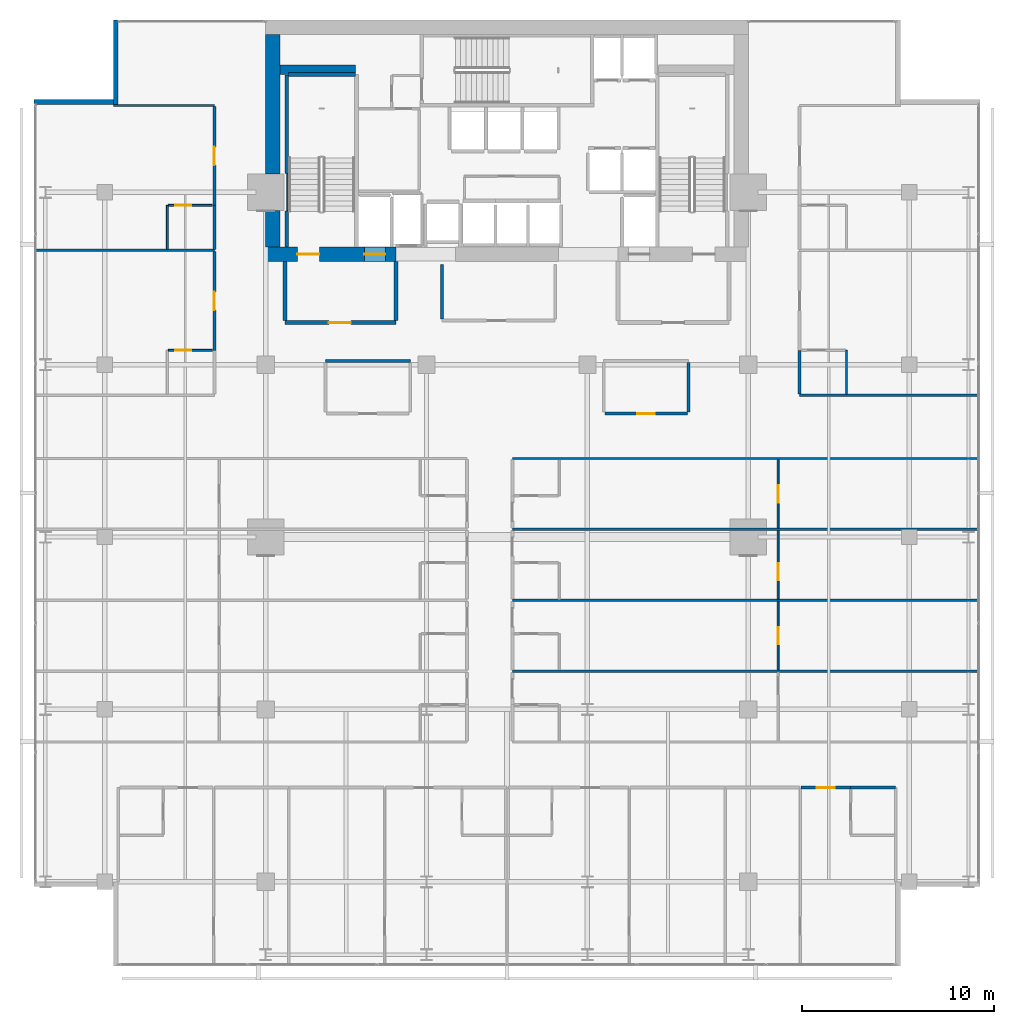
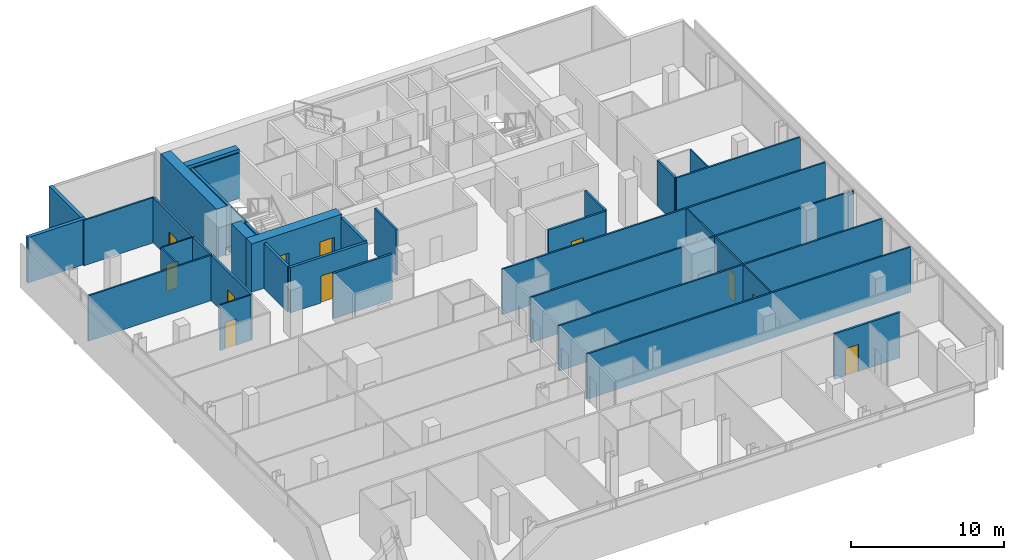
# One storey, part 29 of 34: 37 walls, 12 doors, 12 openings.
"""IFC4 building model written with IfcOpenShell, lengths in metres."""

from ifc_helpers import new_model, si_unit, direction, frame, frame_2d, origin, place, context, subcontext, project, spatial, rectangle, extrude, material, layer, layer_set, type_object, element, fill, save


model = new_model("IFC4")

# Units and contexts
model_context = context("Model", 3, precision=1e-05, world=origin(), true_north=direction((0.0, 1.0)))
body_context = subcontext(model_context, "Body", "Model", "MODEL_VIEW")
ifc_project = project(units=[si_unit("LENGTHUNIT", "METRE"), si_unit("AREAUNIT", "SQUARE_METRE"), si_unit("VOLUMEUNIT", "CUBIC_METRE"), si_unit("PLANEANGLEUNIT", "RADIAN"), si_unit("MASSUNIT", "GRAM", prefix="KILO")], contexts=[model_context])

# Site, building, storey
site_placement = place(None, origin())
site = spatial("IfcSite", under=ifc_project, at=site_placement, CompositionType="ELEMENT")
building_placement = place(site_placement, origin())
building = spatial("IfcBuilding", under=site, at=building_placement, Name="Maruvema Waterfront Hotel and Observation Tower", CompositionType="ELEMENT")
storey_placement = place(building_placement, frame((0.0, 0.0, 185.14990234375)))
storey = spatial("IfcBuildingStorey", under=building, at=storey_placement, Name="L45", CompositionType="ELEMENT", Elevation=185.14990234375)

# Walls
ifc_material_1 = material(Name="Twin-stud acoustic gypsum drywall", Category="gypsum")
ifc_layer_1 = layer(ifc_material_1, 0.14990234375, Name="Acoustic Corridor and Suite Demising Wall 150 mm")
ifc_layer_set_1 = layer_set([ifc_layer_1], Name="Twin-stud acoustic gypsum drywall")
wall_type_1 = type_object("IfcWallType", Name="Acoustic Corridor and Suite Demising Wall 150 mm", PredefinedType="PARTITIONING", material=ifc_layer_set_1)
wall_1_placement = place(storey_placement, frame((34.39990234375, 38.3798828125, 0.0), z_axis=(0.0, 0.0, 1.0), x_axis=(0.0, 1.0, 0.0)))
element("IfcWall", 1, at=wall_1_placement, inside=storey, type_object=wall_type_1, Name="L45 Core Apron K0 West 019", PredefinedType="PARTITIONING", context=body_context, shape_type="SweptSolid", body=[
    extrude(rectangle(XDim=2.840087890625, YDim=0.14990234375, at=frame_2d((1.419921875, 0.0))), origin(), (0.0, 0.0, 1.0), 3.610107421875),
])
wall_2_placement = place(storey_placement, frame((28.320068359375, 36.199951171875, 0.0), z_axis=(0.0, 0.0, 1.0), x_axis=(1.0, 0.0, 0.0)))
element("IfcWall", 2, at=wall_2_placement, inside=storey, type_object=wall_type_1, Name="L45 L45-M1 Back Wall 021", PredefinedType="PARTITIONING", context=body_context, shape_type="SweptSolid", body=[
    extrude(rectangle(XDim=4.429931640625, YDim=0.14990234375, at=frame_2d((2.21484375, 0.0))), origin(), (0.0, 0.0, 1.0), 3.610107421875),
])
wall_3_placement = place(storey_placement, frame((47.280029296875, 33.530029296875, 0.0), z_axis=(0.0, 0.0, 1.0), x_axis=(0.0, 1.0, 0.0)))
element("IfcWall", 3, at=wall_3_placement, inside=storey, type_object=wall_type_1, Name="L45 L45-M2 East Wall 027", PredefinedType="PARTITIONING", context=body_context, shape_type="SweptSolid", body=[
    extrude(rectangle(XDim=2.590087890625, YDim=0.14990234375, at=frame_2d((1.294921875, 0.0))), origin(), (0.0, 0.0, 1.0), 3.610107421875),
])

# Wall, opening, door
wall_4_placement = place(storey_placement, frame((42.909912109375, 33.449951171875, 0.0), z_axis=(0.0, 0.0, 1.0), x_axis=(1.0, 0.0, 0.0)))
wall_4 = element("IfcWall", 4, at=wall_4_placement, inside=storey, type_object=wall_type_1, Name="L45 L45-M2 Front 1 028", PredefinedType="PARTITIONING", context=body_context, shape_type="SweptSolid", body=[
    extrude(rectangle(XDim=4.31005859375, YDim=0.14990234375, at=frame_2d((2.155029296875, 0.0))), origin(), (0.0, 0.0, 1.0), 3.610107421875),
])
opening_1_placement = place(wall_4_placement, frame((1.705078125, 0.0, 0.0)))
opening_1 = element("IfcOpeningElement", 5, at=opening_1_placement, cuts=wall_4, Name="Opening DR-090", PredefinedType="OPENING", context=body_context, shape_type="SweptSolid", body=[
    extrude(rectangle(XDim=0.89990234375, YDim=2.10009765625, at=frame_2d((0.449951171875, 1.050048828125))), frame((0.0, 0.0849609375, 0.0), z_axis=(0.0, -1.0, 0.0), x_axis=(1.0, 0.0, 0.0)), (0.0, 0.0, 1.0), 0.169921875),
])
ifc_material_2 = material(Name="Solid-core lacquered timber leaf", Category="wood")
door_type_1 = type_object("IfcDoorType", Name="Accessible Toilet and Room Door 900x2100 mm", OperationType="NOTDEFINED", PredefinedType="DOOR", material=ifc_material_2)
door_1_placement = place(opening_1_placement, frame((0.89990234375, 0.0, 0.0), z_axis=(0.0, 0.0, 1.0), x_axis=(-1.0, 0.0, 0.0)))
door_1 = element("IfcDoor", 6, at=door_1_placement, inside=storey, type_object=door_type_1, Name="L45 Library Lounge 3 Door", OperationType="SINGLE_SWING_RIGHT", OverallHeight=2.10009765625, OverallWidth=0.89990234375, PredefinedType="DOOR", context=body_context, shape_type="SweptSolid", body=[
    extrude(rectangle(XDim=0.89990234375, YDim=2.10009765625, at=frame_2d((0.449951171875, 1.050048828125))), frame((0.0, 0.02490234375, 0.0), z_axis=(0.0, -1.0, 0.0), x_axis=(1.0, 0.0, 0.0)), (0.0, 0.0, 1.0), 0.050048828125),
])
fill(opening_1, door_1)

# Wall
wall_5_placement = place(storey_placement, frame((55.75, 13.919921875, 0.0), z_axis=(0.0, 0.0, 1.0), x_axis=(1.0, 0.0, 0.0)))
element("IfcWall", 7, at=wall_5_placement, inside=storey, type_object=wall_type_1, Name="L45 Bath L45-S4 Back Wall 052", PredefinedType="PARTITIONING", context=body_context, shape_type="SweptSolid", body=[
    extrude(rectangle(XDim=2.330078125, YDim=0.14990234375, at=frame_2d((1.1650390625, 0.0))), origin(), (0.0, 0.0, 1.0), 3.610107421875),
])

# Wall, opening, door
wall_6_placement = place(storey_placement, frame((53.156005859375, 13.919921875, 0.0), z_axis=(0.0, 0.0, 1.0), x_axis=(1.0, 0.0, 0.0)))
wall_6 = element("IfcWall", 8, at=wall_6_placement, inside=storey, type_object=wall_type_1, Name="L45 Unit L45-S4 Corridor Wall 056", PredefinedType="PARTITIONING", context=body_context, shape_type="SweptSolid", body=[
    extrude(rectangle(XDim=2.593994140625, YDim=0.14990234375, at=frame_2d((1.296875, 0.0))), origin(), (0.0, 0.0, 1.0), 3.610107421875),
])
opening_2_placement = place(wall_6_placement, frame((0.822021484375, 0.0, 0.0)))
opening_2 = element("IfcOpeningElement", 9, at=opening_2_placement, cuts=wall_6, Name="Opening DR-095", PredefinedType="OPENING", context=body_context, shape_type="SweptSolid", body=[
    extrude(rectangle(XDim=0.949951171875, YDim=2.14990234375, at=frame_2d((0.47509765625, 1.074951171875))), frame((0.0, 0.0849609375, 0.0), z_axis=(0.0, -1.0, 0.0), x_axis=(1.0, 0.0, 0.0)), (0.0, 0.0, 1.0), 0.169921875),
])
ifc_material_3 = material(Name="Acoustic solid-core hardwood timber leaf", Category="wood")
door_type_2 = type_object("IfcDoorType", Name="Guestroom Entrance Fire Door 950x2150 mm", OperationType="NOTDEFINED", PredefinedType="DOOR", material=ifc_material_3)
door_2_placement = place(opening_2_placement, frame((0.949951171875, 0.0, 0.0), z_axis=(0.0, 0.0, 1.0), x_axis=(-1.0, 0.0, 0.0)))
door_2 = element("IfcDoor", 10, at=door_2_placement, inside=storey, type_object=door_type_2, Name="L45 Unit L45-S4 Entrance Door", OperationType="SINGLE_SWING_LEFT", OverallHeight=2.14990234375, OverallWidth=0.949951171875, PredefinedType="DOOR", context=body_context, shape_type="SweptSolid", body=[
    extrude(rectangle(XDim=0.949951171875, YDim=2.14990234375, at=frame_2d((0.47509765625, 1.074951171875))), frame((0.0, 0.02490234375, 0.0), z_axis=(0.0, -1.0, 0.0), x_axis=(1.0, 0.0, 0.0)), (0.0, 0.0, 1.0), 0.050048828125),
])
fill(opening_2, door_2)

wall_7_placement = place(storey_placement, frame((22.52001953125, 36.75, 0.0), z_axis=(0.0, 0.0, 1.0), x_axis=(0.0, 1.0, 0.0)))
wall_7 = element("IfcWall", 11, at=wall_7_placement, inside=storey, type_object=wall_type_1, Name="L45 Room L45-NW1 Corridor Wall 113", PredefinedType="PARTITIONING", context=body_context, shape_type="SweptSolid", body=[
    extrude(rectangle(XDim=5.15869140625, YDim=0.14990234375, at=frame_2d((2.579345703125, 0.0))), origin(), (0.0, 0.0, 1.0), 3.610107421875),
])
opening_3_placement = place(wall_7_placement, frame((2.1044921875, 0.0, 0.0)))
opening_3 = element("IfcOpeningElement", 12, at=opening_3_placement, cuts=wall_7, Name="Opening DR-095", PredefinedType="OPENING", context=body_context, shape_type="SweptSolid", body=[
    extrude(rectangle(XDim=0.949951171875, YDim=2.14990234375, at=frame_2d((0.47509765625, 1.074951171875))), frame((0.0, 0.0849609375, 0.0), z_axis=(0.0, -1.0, 0.0), x_axis=(1.0, 0.0, 0.0)), (0.0, 0.0, 1.0), 0.169921875),
])
door_3_placement = place(opening_3_placement, origin())
door_3 = element("IfcDoor", 13, at=door_3_placement, inside=storey, type_object=door_type_2, Name="L45 Room L45-NW1 Entrance Door", OperationType="SINGLE_SWING_RIGHT", OverallHeight=2.14990234375, OverallWidth=0.949951171875, PredefinedType="DOOR", context=body_context, shape_type="SweptSolid", body=[
    extrude(rectangle(XDim=0.949951171875, YDim=2.14990234375, at=frame_2d((0.47509765625, 1.074951171875))), frame((0.0, 0.02490234375, 0.0), z_axis=(0.0, -1.0, 0.0), x_axis=(1.0, 0.0, 0.0)), (0.0, 0.0, 1.0), 0.050048828125),
])
fill(opening_3, door_3)

# Walls
for number, where, z_axis, x_axis, name in (
    (14, (53.080078125, 34.4599609375, 0.0), (0.0, 0.0, 1.0), (0.0, 1.0, 0.0), "L45 Bath L45-NE1 Wall 116"),
    (15, (22.52001953125, 42.02880859375, 0.0), (0.0, 0.0, 1.0), (0.0, 1.0, 0.0), "L45 Bath L45-NW2 Wall 122"),
):
    element("IfcWall", number, at=place(storey_placement, frame(where, z_axis=z_axis, x_axis=x_axis)), inside=storey, type_object=wall_type_1, Name=name, PredefinedType="PARTITIONING", context=body_context, shape_type="SweptSolid", body=[
        extrude(rectangle(XDim=2.2900390625, YDim=0.14990234375, at=frame_2d((1.14501953125, 0.0))), origin(), (0.0, 0.0, 1.0), 3.610107421875),
    ])

# Wall, opening, door
wall_8_placement = place(storey_placement, frame((22.52001953125, 44.31884765625, 0.0), z_axis=(0.0, 0.0, 1.0), x_axis=(0.0, 1.0, 0.0)))
wall_8 = element("IfcWall", 16, at=wall_8_placement, inside=storey, type_object=wall_type_1, Name="L45 Room L45-NW2 Corridor Wall 123", PredefinedType="PARTITIONING", context=body_context, shape_type="SweptSolid", body=[
    extrude(rectangle(XDim=5.15869140625, YDim=0.14990234375, at=frame_2d((2.579345703125, 0.0))), origin(), (0.0, 0.0, 1.0), 3.610107421875),
])
opening_4_placement = place(wall_8_placement, frame((2.104248046875, 0.0, 0.0)))
opening_4 = element("IfcOpeningElement", 17, at=opening_4_placement, cuts=wall_8, Name="Opening DR-095", PredefinedType="OPENING", context=body_context, shape_type="SweptSolid", body=[
    extrude(rectangle(XDim=0.949951171875, YDim=2.14990234375, at=frame_2d((0.47509765625, 1.074951171875))), frame((0.0, 0.0849609375, 0.0), z_axis=(0.0, -1.0, 0.0), x_axis=(1.0, 0.0, 0.0)), (0.0, 0.0, 1.0), 0.169921875),
])
door_4_placement = place(opening_4_placement, origin())
door_4 = element("IfcDoor", 18, at=door_4_placement, inside=storey, type_object=door_type_2, Name="L45 Room L45-NW2 Entrance Door", OperationType="SINGLE_SWING_RIGHT", OverallHeight=2.14990234375, OverallWidth=0.949951171875, PredefinedType="DOOR", context=body_context, shape_type="SweptSolid", body=[
    extrude(rectangle(XDim=0.949951171875, YDim=2.14990234375, at=frame_2d((0.47509765625, 1.074951171875))), frame((0.0, 0.02490234375, 0.0), z_axis=(0.0, -1.0, 0.0), x_axis=(1.0, 0.0, 0.0)), (0.0, 0.0, 1.0), 0.050048828125),
])
fill(opening_4, door_4)

# Walls
ifc_material_4 = material(Name="Precast concrete C45/55", Category="concrete")
ifc_layer_2 = layer(ifc_material_4, 0.199951171875, Name="Core Shaft and Stairwell Enclosure Wall 200 mm")
ifc_layer_set_2 = layer_set([ifc_layer_2], Name="Precast concrete C45/55")
wall_type_2 = type_object("IfcWallType", Name="Core Shaft and Stairwell Enclosure Wall 200 mm", PredefinedType="SOLIDWALL", material=ifc_layer_set_2)
wall_9_placement = place(storey_placement, frame((26.300048828125, 42.14990234375, 0.0), z_axis=(0.0, 0.0, 1.0), x_axis=(0.0, 1.0, 0.0)))
element("IfcWall", 19, at=wall_9_placement, inside=storey, type_object=wall_type_2, Name="L45 Stairwell ST-01 Shaft Lining Wall", PredefinedType="SOLIDWALL", context=body_context, shape_type="SweptSolid", body=[
    extrude(rectangle(XDim=1.8701171875, YDim=0.199951171875, at=frame_2d((0.93505859375, 0.0))), origin(), (0.0, 0.0, 1.0), 3.610107421875),
])
wall_10_placement = place(storey_placement, frame((26.300048828125, 45.97998046875, 0.0), z_axis=(0.0, 0.0, 1.0), x_axis=(0.0, 1.0, 0.0)))
element("IfcWall", 20, at=wall_10_placement, inside=storey, type_object=wall_type_2, Name="L45 Stairwell ST-01 Shaft Lining Wall", PredefinedType="SOLIDWALL", context=body_context, shape_type="SweptSolid", body=[
    extrude(rectangle(XDim=5.14013671875, YDim=0.199951171875, at=frame_2d((2.570068359375, 0.0))), origin(), (0.0, 0.0, 1.0), 3.610107421875),
])
wall_11_placement = place(storey_placement, frame((26.3798828125, 51.14990234375, 0.0), z_axis=(0.0, 0.0, 1.0), x_axis=(1.0, 0.0, 0.0)))
element("IfcWall", 21, at=wall_11_placement, inside=storey, type_object=wall_type_2, Name="L45 Stairwell ST-01 Shaft Lining Wall", PredefinedType="SOLIDWALL", context=body_context, shape_type="SweptSolid", body=[
    extrude(rectangle(XDim=3.5, YDim=0.199951171875, at=frame_2d((1.75, 0.0))), origin(), (0.0, 0.0, 1.0), 3.610107421875),
])
ifc_material_5 = material(Name="Concrete C70/85", Category="concrete")
ifc_layer_3 = layer(ifc_material_5, 0.5, Name="Core Shear Wall 500 mm")
ifc_layer_set_3 = layer_set([ifc_layer_3], Name="Concrete C70/85")
wall_type_3 = type_object("IfcWallType", Name="Core Shear Wall 500 mm", PredefinedType="SHEAR", material=ifc_layer_set_3)
wall_12_placement = place(storey_placement, frame((25.949951171875, 51.39990234375, 0.0), z_axis=(0.0, 0.0, 1.0), x_axis=(1.0, 0.0, 0.0)))
element("IfcWall", 22, at=wall_12_placement, inside=storey, type_object=wall_type_3, Name="L45 Internal Core Shear Wall NW 500 mm", PredefinedType="SHEAR", context=body_context, shape_type="SweptSolid", body=[
    extrude(rectangle(XDim=3.949951171875, YDim=0.5, at=frame_2d((1.97509765625, 0.0))), origin(), (0.0, 0.0, 1.0), 3.85009765625),
])

# Wall, openings, doors
ifc_material_6 = material(Name="Concrete C70/85", Category="concrete")
ifc_layer_4 = layer(ifc_material_6, 0.75, Name="Core Shear Wall 750 mm")
ifc_layer_set_4 = layer_set([ifc_layer_4], Name="Concrete C70/85")
wall_type_4 = type_object("IfcWallType", Name="Core Shear Wall 750 mm", PredefinedType="SHEAR", material=ifc_layer_set_4)
wall_13_placement = place(storey_placement, frame((25.199951171875, 41.77490234375, 0.0), z_axis=(0.0, 0.0, 1.0), x_axis=(1.0, 0.0, 0.0)))
wall_13 = element("IfcWall", 23, at=wall_13_placement, inside=storey, type_object=wall_type_4, Name="L45 South-West Core Shear Wall", PredefinedType="SHEAR", context=body_context, shape_type="SweptSolid", body=[
    extrude(rectangle(XDim=6.800048828125, YDim=0.75, at=frame_2d((3.39990234375, 0.0))), origin(), (0.0, 0.0, 1.0), 3.85009765625),
])
opening_5_placement = place(wall_13_placement, frame((1.64990234375, 0.0, 0.0)))
opening_5 = element("IfcOpeningElement", 24, at=opening_5_placement, cuts=wall_13, Name="Opening SD-01", PredefinedType="OPENING", context=body_context, shape_type="SweptSolid", body=[
    extrude(rectangle(XDim=1.14990234375, YDim=2.14990234375, at=frame_2d((0.574951171875, 1.074951171875))), frame((0.0, 0.385009765625, 0.0), z_axis=(0.0, -1.0, 0.0), x_axis=(1.0, 0.0, 0.0)), (0.0, 0.0, 1.0), 0.77001953125),
])
opening_6_placement = place(wall_13_placement, frame((5.14990234375, 0.0, 0.0)))
opening_6 = element("IfcOpeningElement", 25, at=opening_6_placement, cuts=wall_13, Name="Opening LD-03", PredefinedType="OPENING", context=body_context, shape_type="SweptSolid", body=[
    extrude(rectangle(XDim=1.10009765625, YDim=2.199951171875, at=frame_2d((0.550048828125, 1.10009765625))), frame((0.0, 0.385009765625, 0.0), z_axis=(0.0, -1.0, 0.0), x_axis=(1.0, 0.0, 0.0)), (0.0, 0.0, 1.0), 0.77001953125),
])
ifc_material_7 = material(Name="Fire-rated galvanised steel leaf", Category="steel")
door_type_3 = type_object("IfcDoorType", Name="Exit Stair Fire Door 1150x2150 mm", OperationType="NOTDEFINED", PredefinedType="DOOR", material=ifc_material_7)
door_5_placement = place(opening_5_placement, origin())
door_5 = element("IfcDoor", 26, at=door_5_placement, inside=storey, type_object=door_type_3, Name="L45 Exit Stair ST-01 Fire Door", OperationType="SINGLE_SWING_LEFT", OverallHeight=2.14990234375, OverallWidth=1.14990234375, PredefinedType="DOOR", context=body_context, shape_type="SweptSolid", body=[
    extrude(rectangle(XDim=1.14990234375, YDim=2.14990234375, at=frame_2d((0.574951171875, 1.074951171875))), frame((0.0, 0.02490234375, 0.0), z_axis=(0.0, -1.0, 0.0), x_axis=(1.0, 0.0, 0.0)), (0.0, 0.0, 1.0), 0.050048828125),
])
fill(opening_5, door_5)
ifc_material_8 = material(Name="Brushed stainless steel Grade 316", Category="steel")
door_type_4 = type_object("IfcDoorType", Name="Firefighting Lift Sliding Landing Door 1100x2200 mm", OperationType="SLIDING_TO_LEFT", PredefinedType="DOOR", material=ifc_material_8)
door_6_placement = place(opening_6_placement, frame((1.10009765625, 0.0, 0.0), z_axis=(0.0, 0.0, 1.0), x_axis=(-1.0, 0.0, 0.0)))
door_6 = element("IfcDoor", 27, at=door_6_placement, inside=storey, type_object=door_type_4, Name="L45 Firefighting Lift FL-01 Landing Door", OperationType="SLIDING_TO_LEFT", OverallHeight=2.199951171875, OverallWidth=1.10009765625, PredefinedType="DOOR", context=body_context, shape_type="SweptSolid", body=[
    extrude(rectangle(XDim=1.10009765625, YDim=2.199951171875, at=frame_2d((0.550048828125, 1.10009765625))), frame((0.0, 0.02490234375, 0.0), z_axis=(0.0, -1.0, 0.0), x_axis=(1.0, 0.0, 0.0)), (0.0, 0.0, 1.0), 0.050048828125),
])
fill(opening_6, door_6)

# Walls
wall_14_placement = place(storey_placement, frame((25.574951171875, 42.14990234375, 0.0), z_axis=(0.0, 0.0, 1.0), x_axis=(0.0, 1.0, 0.0)))
element("IfcWall", 28, at=wall_14_placement, inside=storey, type_object=wall_type_4, Name="L45 West-South Core Shear Wall", PredefinedType="SHEAR", context=body_context, shape_type="SweptSolid", body=[
    extrude(rectangle(XDim=1.900146484375, YDim=0.75, at=frame_2d((0.9501953125, 0.0))), origin(), (0.0, 0.0, 1.0), 3.85009765625),
])
wall_15_placement = place(storey_placement, frame((25.574951171875, 45.949951171875, 0.0), z_axis=(0.0, 0.0, 1.0), x_axis=(0.0, 1.0, 0.0)))
element("IfcWall", 29, at=wall_15_placement, inside=storey, type_object=wall_type_4, Name="L45 West-North Core Shear Wall", PredefinedType="SHEAR", context=body_context, shape_type="SweptSolid", body=[
    extrude(rectangle(XDim=7.300048828125, YDim=0.75, at=frame_2d((3.64990234375, 0.0))), origin(), (0.0, 0.0, 1.0), 3.85009765625),
])

# Wall, opening, door
ifc_material_9 = material(Name="Moisture-resistant cement-board drywall", Category="gypsum")
ifc_layer_5 = layer(ifc_material_9, 0.10009765625, Name="En-Suite Moisture-Resistant Partition 100 mm")
ifc_layer_set_5 = layer_set([ifc_layer_5], Name="Moisture-resistant cement-board drywall")
wall_type_5 = type_object("IfcWallType", Name="En-Suite Moisture-Resistant Partition 100 mm", PredefinedType="PARTITIONING", material=ifc_layer_set_5)
wall_16_placement = place(storey_placement, frame((51.954345703125, 20.06005859375, 0.0), z_axis=(0.0, 0.0, 1.0), x_axis=(0.0, 1.0, 0.0)))
wall_16 = element("IfcWall", 30, at=wall_16_placement, inside=storey, type_object=wall_type_5, Name="L45 Suite L45-E2 Split 083", PredefinedType="PARTITIONING", context=body_context, shape_type="SweptSolid", body=[
    extrude(rectangle(XDim=3.579833984375, YDim=0.10009765625, at=frame_2d((1.7900390625, 0.0))), origin(), (0.0, 0.0, 1.0), 3.610107421875),
])
opening_7_placement = place(wall_16_placement, frame((1.340087890625, 0.0, 0.0)))
opening_7 = element("IfcOpeningElement", 31, at=opening_7_placement, cuts=wall_16, Name="Opening DR-090", PredefinedType="OPENING", context=body_context, shape_type="SweptSolid", body=[
    extrude(rectangle(XDim=0.89990234375, YDim=2.10009765625, at=frame_2d((0.449951171875, 1.050048828125))), frame((0.0, 0.06005859375, 0.0), z_axis=(0.0, -1.0, 0.0), x_axis=(1.0, 0.0, 0.0)), (0.0, 0.0, 1.0), 0.1201171875),
])
door_7_placement = place(opening_7_placement, frame((0.89990234375, 0.0, 0.0), z_axis=(0.0, 0.0, 1.0), x_axis=(-1.0, 0.0, 0.0)))
door_7 = element("IfcDoor", 32, at=door_7_placement, inside=storey, type_object=door_type_1, Name="L45 Suite L45-E2 Bedroom Door", OperationType="SINGLE_SWING_RIGHT", OverallHeight=2.10009765625, OverallWidth=0.89990234375, PredefinedType="DOOR", context=body_context, shape_type="SweptSolid", body=[
    extrude(rectangle(XDim=0.89990234375, YDim=2.10009765625, at=frame_2d((0.449951171875, 1.050048828125))), frame((0.0, 0.02490234375, 0.0), z_axis=(0.0, -1.0, 0.0), x_axis=(1.0, 0.0, 0.0)), (0.0, 0.0, 1.0), 0.050048828125),
])
fill(opening_7, door_7)

wall_17_placement = place(storey_placement, frame((51.954345703125, 23.760009765625, 0.0), z_axis=(0.0, 0.0, 1.0), x_axis=(0.0, 1.0, 0.0)))
wall_17 = element("IfcWall", 33, at=wall_17_placement, inside=storey, type_object=wall_type_5, Name="L45 Suite L45-E3 Split 095", PredefinedType="PARTITIONING", context=body_context, shape_type="SweptSolid", body=[
    extrude(rectangle(XDim=3.580078125, YDim=0.10009765625, at=frame_2d((1.7900390625, 0.0))), origin(), (0.0, 0.0, 1.0), 3.610107421875),
])
opening_8_placement = place(wall_17_placement, frame((0.97998046875, 0.0, 0.0)))
opening_8 = element("IfcOpeningElement", 34, at=opening_8_placement, cuts=wall_17, Name="Opening DR-090", PredefinedType="OPENING", context=body_context, shape_type="SweptSolid", body=[
    extrude(rectangle(XDim=0.89990234375, YDim=2.10009765625, at=frame_2d((0.449951171875, 1.050048828125))), frame((0.0, 0.06005859375, 0.0), z_axis=(0.0, -1.0, 0.0), x_axis=(1.0, 0.0, 0.0)), (0.0, 0.0, 1.0), 0.1201171875),
])
door_8_placement = place(opening_8_placement, frame((0.89990234375, 0.0, 0.0), z_axis=(0.0, 0.0, 1.0), x_axis=(-1.0, 0.0, 0.0)))
door_8 = element("IfcDoor", 35, at=door_8_placement, inside=storey, type_object=door_type_1, Name="L45 Suite L45-E3 Bedroom Door", OperationType="SINGLE_SWING_RIGHT", OverallHeight=2.10009765625, OverallWidth=0.89990234375, PredefinedType="DOOR", context=body_context, shape_type="SweptSolid", body=[
    extrude(rectangle(XDim=0.89990234375, YDim=2.10009765625, at=frame_2d((0.449951171875, 1.050048828125))), frame((0.0, 0.02490234375, 0.0), z_axis=(0.0, -1.0, 0.0), x_axis=(1.0, 0.0, 0.0)), (0.0, 0.0, 1.0), 0.050048828125),
])
fill(opening_8, door_8)

wall_18_placement = place(storey_placement, frame((51.954345703125, 27.4599609375, 0.0), z_axis=(0.0, 0.0, 1.0), x_axis=(0.0, 1.0, 0.0)))
wall_18 = element("IfcWall", 36, at=wall_18_placement, inside=storey, type_object=wall_type_5, Name="L45 Suite L45-E4 Split 107", PredefinedType="PARTITIONING", context=body_context, shape_type="SweptSolid", body=[
    extrude(rectangle(XDim=3.580078125, YDim=0.10009765625, at=frame_2d((1.7900390625, 0.0))), origin(), (0.0, 0.0, 1.0), 3.610107421875),
])
opening_9_placement = place(wall_18_placement, frame((1.340087890625, 0.0, 0.0)))
opening_9 = element("IfcOpeningElement", 37, at=opening_9_placement, cuts=wall_18, Name="Opening DR-090", PredefinedType="OPENING", context=body_context, shape_type="SweptSolid", body=[
    extrude(rectangle(XDim=0.89990234375, YDim=2.10009765625, at=frame_2d((0.449951171875, 1.050048828125))), frame((0.0, 0.06005859375, 0.0), z_axis=(0.0, -1.0, 0.0), x_axis=(1.0, 0.0, 0.0)), (0.0, 0.0, 1.0), 0.1201171875),
])
door_9_placement = place(opening_9_placement, frame((0.89990234375, 0.0, 0.0), z_axis=(0.0, 0.0, 1.0), x_axis=(-1.0, 0.0, 0.0)))
door_9 = element("IfcDoor", 38, at=door_9_placement, inside=storey, type_object=door_type_1, Name="L45 Suite L45-E4 Bedroom Door", OperationType="SINGLE_SWING_RIGHT", OverallHeight=2.10009765625, OverallWidth=0.89990234375, PredefinedType="DOOR", context=body_context, shape_type="SweptSolid", body=[
    extrude(rectangle(XDim=0.89990234375, YDim=2.10009765625, at=frame_2d((0.449951171875, 1.050048828125))), frame((0.0, 0.02490234375, 0.0), z_axis=(0.0, -1.0, 0.0), x_axis=(1.0, 0.0, 0.0)), (0.0, 0.0, 1.0), 0.050048828125),
])
fill(opening_9, door_9)

wall_19_placement = place(storey_placement, frame((20.1201171875, 36.75, 0.0), z_axis=(0.0, 0.0, 1.0), x_axis=(1.0, 0.0, 0.0)))
wall_19 = element("IfcWall", 39, at=wall_19_placement, inside=storey, type_object=wall_type_5, Name="L45 En-Suite L45-NW1 N 115", PredefinedType="PARTITIONING", context=body_context, shape_type="SweptSolid", body=[
    extrude(rectangle(XDim=2.2998046875, YDim=0.10009765625, at=frame_2d((1.14990234375, 0.0))), origin(), (0.0, 0.0, 1.0), 3.610107421875),
])
opening_10_placement = place(wall_19_placement, frame((0.35009765625, 0.0, 0.0)))
opening_10 = element("IfcOpeningElement", 40, at=opening_10_placement, cuts=wall_19, Name="Opening DR-085", PredefinedType="OPENING", context=body_context, shape_type="SweptSolid", body=[
    extrude(rectangle(XDim=0.85009765625, YDim=2.10009765625, at=frame_2d((0.425048828125, 1.050048828125))), frame((0.0, 0.06005859375, 0.0), z_axis=(0.0, -1.0, 0.0), x_axis=(1.0, 0.0, 0.0)), (0.0, 0.0, 1.0), 0.1201171875),
])
ifc_material_10 = material(Name="Moisture-resistant solid timber leaf", Category="wood")
door_type_5 = type_object("IfcDoorType", Name="En-Suite Bathroom Door 850x2100 mm", OperationType="NOTDEFINED", PredefinedType="DOOR", material=ifc_material_10)
door_10_placement = place(opening_10_placement, origin())
door_10 = element("IfcDoor", 41, at=door_10_placement, inside=storey, type_object=door_type_5, Name="L45 En-Suite L45-NW1 Door", OperationType="SINGLE_SWING_LEFT", OverallHeight=2.10009765625, OverallWidth=0.85009765625, PredefinedType="DOOR", context=body_context, shape_type="SweptSolid", body=[
    extrude(rectangle(XDim=0.85009765625, YDim=2.10009765625, at=frame_2d((0.425048828125, 1.050048828125))), frame((0.0, 0.02490234375, 0.0), z_axis=(0.0, -1.0, 0.0), x_axis=(1.0, 0.0, 0.0)), (0.0, 0.0, 1.0), 0.050048828125),
])
fill(opening_10, door_10)

# Walls
for number, where, z_axis, x_axis, name in (
    (42, (55.530029296875, 34.4599609375, 0.0), (0.0, 0.0, 1.0), (0.0, 1.0, 0.0), "L45 En-Suite L45-NE1 E 118"),
    (43, (20.070068359375, 42.02880859375, 0.0), (0.0, 0.0, 1.0), (0.0, 1.0, 0.0), "L45 En-Suite L45-NW2 W 124"),
):
    element("IfcWall", number, at=place(storey_placement, frame(where, z_axis=z_axis, x_axis=x_axis)), inside=storey, type_object=wall_type_5, Name=name, PredefinedType="PARTITIONING", context=body_context, shape_type="SweptSolid", body=[
        extrude(rectangle(XDim=2.2900390625, YDim=0.10009765625, at=frame_2d((1.14501953125, 0.0))), origin(), (0.0, 0.0, 1.0), 3.610107421875),
    ])

# Wall, opening, door
wall_20_placement = place(storey_placement, frame((20.1201171875, 44.31884765625, 0.0), z_axis=(0.0, 0.0, 1.0), x_axis=(1.0, 0.0, 0.0)))
wall_20 = element("IfcWall", 44, at=wall_20_placement, inside=storey, type_object=wall_type_5, Name="L45 En-Suite L45-NW2 N 125", PredefinedType="PARTITIONING", context=body_context, shape_type="SweptSolid", body=[
    extrude(rectangle(XDim=2.2998046875, YDim=0.10009765625, at=frame_2d((1.14990234375, 0.0))), origin(), (0.0, 0.0, 1.0), 3.610107421875),
])
opening_11_placement = place(wall_20_placement, frame((0.35009765625, 0.0, 0.0)))
opening_11 = element("IfcOpeningElement", 45, at=opening_11_placement, cuts=wall_20, Name="Opening DR-085", PredefinedType="OPENING", context=body_context, shape_type="SweptSolid", body=[
    extrude(rectangle(XDim=0.85009765625, YDim=2.10009765625, at=frame_2d((0.425048828125, 1.050048828125))), frame((0.0, 0.06005859375, 0.0), z_axis=(0.0, -1.0, 0.0), x_axis=(1.0, 0.0, 0.0)), (0.0, 0.0, 1.0), 0.1201171875),
])
door_11_placement = place(opening_11_placement, origin())
door_11 = element("IfcDoor", 46, at=door_11_placement, inside=storey, type_object=door_type_5, Name="L45 En-Suite L45-NW2 Door", OperationType="SINGLE_SWING_LEFT", OverallHeight=2.10009765625, OverallWidth=0.85009765625, PredefinedType="DOOR", context=body_context, shape_type="SweptSolid", body=[
    extrude(rectangle(XDim=0.85009765625, YDim=2.10009765625, at=frame_2d((0.425048828125, 1.050048828125))), frame((0.0, 0.02490234375, 0.0), z_axis=(0.0, -1.0, 0.0), x_axis=(1.0, 0.0, 0.0)), (0.0, 0.0, 1.0), 0.050048828125),
])
fill(opening_11, door_11)

# Walls
ifc_material_11 = material(Name="Precast concrete C45/55 with honed Pernambuco granite facing", Category="masonry")
ifc_layer_6 = layer(ifc_material_11, 0.260009765625, Name="Exterior Granite Clad Spandrel and Pier Wall 260 mm")
ifc_layer_set_6 = layer_set([ifc_layer_6], Name="Precast concrete C45/55 with honed Pernambuco granite facing")
wall_type_6 = type_object("IfcWallType", Name="Exterior Granite Clad Spandrel and Pier Wall 260 mm", PredefinedType="SOLIDWALL", material=ifc_layer_set_6)
for number, where, z_axis, x_axis, name in (
    (47, (17.3701171875, 49.60009765625, 0.0), (0.0, 0.0, 1.0), (0.0, 1.0, 0.0), "L45 Corner Notch Granite Pier Wall NW1"),
    (48, (13.10009765625, 49.72998046875, 0.0), (0.0, 0.0, 1.0), (1.0, 0.0, 0.0), "L45 Corner Notch Granite Pier Wall NW2"),
):
    element("IfcWall", number, at=place(storey_placement, frame(where, z_axis=z_axis, x_axis=x_axis)), inside=storey, type_object=wall_type_6, Name=name, PredefinedType="SOLIDWALL", context=body_context, shape_type="SweptSolid", body=[
        extrude(rectangle(XDim=4.39990234375, YDim=0.260009765625, at=frame_2d((2.199951171875, 0.0))), origin(), (0.0, 0.0, 1.0), 3.610107421875),
    ])

# Wall, opening, door
ifc_material_12 = material(Name="Autoclaved cellular concrete blockwork", Category="masonry")
ifc_layer_7 = layer(ifc_material_12, 0.199951171875, Name="Fire Compartment Masonry Wall 200 mm")
ifc_layer_set_7 = layer_set([ifc_layer_7], Name="Autoclaved cellular concrete blockwork")
wall_type_7 = type_object("IfcWallType", Name="Fire Compartment Masonry Wall 200 mm", PredefinedType="PARTITIONING", material=ifc_layer_set_7)
wall_21_placement = place(storey_placement, frame((26.199951171875, 38.199951171875, 0.0), z_axis=(0.0, 0.0, 1.0), x_axis=(1.0, 0.0, 0.0)))
wall_21 = element("IfcWall", 49, at=wall_21_placement, inside=storey, type_object=wall_type_7, Name="L45 FFL West South Wall 001", PredefinedType="PARTITIONING", context=body_context, shape_type="SweptSolid", body=[
    extrude(rectangle(XDim=5.800048828125, YDim=0.199951171875, at=frame_2d((2.89990234375, 0.0))), origin(), (0.0, 0.0, 1.0), 3.610107421875),
])
opening_12_placement = place(wall_21_placement, frame((2.300048828125, 0.0, 0.0)))
opening_12 = element("IfcOpeningElement", 50, at=opening_12_placement, cuts=wall_21, Name="Opening FD-115", PredefinedType="OPENING", context=body_context, shape_type="SweptSolid", body=[
    extrude(rectangle(XDim=1.14990234375, YDim=2.14990234375, at=frame_2d((0.574951171875, 1.074951171875))), frame((0.0, 0.10986328125, 0.0), z_axis=(0.0, -1.0, 0.0), x_axis=(1.0, 0.0, 0.0)), (0.0, 0.0, 1.0), 0.219970703125),
])
ifc_material_13 = material(Name="Fire-rated galvanised steel and vision glass", Category="steel")
door_type_6 = type_object("IfcDoorType", Name="Firefighting Lobby Fire Door 1150x2150 mm", OperationType="NOTDEFINED", PredefinedType="DOOR", material=ifc_material_13)
door_12_placement = place(opening_12_placement, frame((1.14990234375, 0.0, 0.0), z_axis=(0.0, 0.0, 1.0), x_axis=(-1.0, 0.0, 0.0)))
door_12 = element("IfcDoor", 51, at=door_12_placement, inside=storey, type_object=door_type_6, Name="L45 Firefighting Lobby West Door", OperationType="SINGLE_SWING_RIGHT", OverallHeight=2.14990234375, OverallWidth=1.14990234375, PredefinedType="DOOR", context=body_context, shape_type="SweptSolid", body=[
    extrude(rectangle(XDim=1.14990234375, YDim=2.14990234375, at=frame_2d((0.574951171875, 1.074951171875))), frame((0.0, 0.02490234375, 0.0), z_axis=(0.0, -1.0, 0.0), x_axis=(1.0, 0.0, 0.0)), (0.0, 0.0, 1.0), 0.050048828125),
])
fill(opening_12, door_12)

# Walls
for number, where, z_axis, x_axis, name in (
    (52, (26.199951171875, 38.31005859375, 0.0), (0.0, 0.0, 1.0), (0.0, 1.0, 0.0), "L45 FFL West West Wall 002"),
    (53, (32.0, 38.31005859375, 0.0), (0.0, 0.0, 1.0), (0.0, 1.0, 0.0), "L45 FFL West East Wall 003"),
):
    element("IfcWall", number, at=place(storey_placement, frame(where, z_axis=z_axis, x_axis=x_axis)), inside=storey, type_object=wall_type_7, Name=name, PredefinedType="PARTITIONING", context=body_context, shape_type="SweptSolid", body=[
        extrude(rectangle(XDim=3.06982421875, YDim=0.199951171875, at=frame_2d((1.534912109375, 0.0))), origin(), (0.0, 0.0, 1.0), 3.610107421875),
    ])
ifc_material_14 = material(Name="Acoustic gypsum plasterboard drywall", Category="gypsum")
ifc_layer_8 = layer(ifc_material_14, 0.125, Name="Guestroom Acoustic Demising Wall 125 mm")
ifc_layer_set_8 = layer_set([ifc_layer_8], Name="Acoustic gypsum plasterboard drywall")
wall_type_8 = type_object("IfcWallType", Name="Guestroom Acoustic Demising Wall 125 mm", PredefinedType="PARTITIONING", material=ifc_layer_set_8)
for number, where, z_axis, x_axis, name in (
    (54, (38.080078125, 31.10009765625, 0.0), (0.0, 0.0, 1.0), (1.0, 0.0, 0.0), "L45 Z2 E Top End 061"),
    (55, (38.080078125, 20.0, 0.0), (0.0, 0.0, 1.0), (1.0, 0.0, 0.0), "L45 Z2 E Demising 2 073"),
    (56, (38.080078125, 23.699951171875, 0.0), (0.0, 0.0, 1.0), (1.0, 0.0, 0.0), "L45 Z2 E Demising 3 085"),
    (57, (38.080078125, 27.39990234375, 0.0), (0.0, 0.0, 1.0), (1.0, 0.0, 0.0), "L45 Z2 E Demising 4 097"),
):
    element("IfcWall", number, at=place(storey_placement, frame(where, z_axis=z_axis, x_axis=x_axis)), inside=storey, type_object=wall_type_8, Name=name, PredefinedType="PARTITIONING", context=body_context, shape_type="SweptSolid", body=[
        extrude(rectangle(XDim=24.31982421875, YDim=0.125, at=frame_2d((12.159912109375, 0.0))), origin(), (0.0, 0.0, 1.0), 3.610107421875),
    ])
wall_22_placement = place(storey_placement, frame((53.080078125, 34.39990234375, 0.0), z_axis=(0.0, 0.0, 1.0), x_axis=(1.0, 0.0, 0.0)))
element("IfcWall", 58, at=wall_22_placement, inside=storey, type_object=wall_type_8, Name="L45 Z2 NE Bot End 109", PredefinedType="PARTITIONING", context=body_context, shape_type="SweptSolid", body=[
    extrude(rectangle(XDim=9.31982421875, YDim=0.125, at=frame_2d((4.659912109375, 0.0))), origin(), (0.0, 0.0, 1.0), 3.610107421875),
])
wall_23_placement = place(storey_placement, frame((17.239990234375, 49.53759765625, 0.0), z_axis=(0.0, 0.0, 1.0), x_axis=(1.0, 0.0, 0.0)))
element("IfcWall", 59, at=wall_23_placement, inside=storey, type_object=wall_type_8, Name="L45 Z2 NW Top End 110", PredefinedType="PARTITIONING", context=body_context, shape_type="SweptSolid", body=[
    extrude(rectangle(XDim=5.280029296875, YDim=0.125, at=frame_2d((2.64013671875, 0.0))), origin(), (0.0, 0.0, 1.0), 3.610107421875),
])
wall_24_placement = place(storey_placement, frame((13.199951171875, 41.96875, 0.0), z_axis=(0.0, 0.0, 1.0), x_axis=(1.0, 0.0, 0.0)))
element("IfcWall", 60, at=wall_24_placement, inside=storey, type_object=wall_type_8, Name="L45 Z2 NW Demising 2 120", PredefinedType="PARTITIONING", context=body_context, shape_type="SweptSolid", body=[
    extrude(rectangle(XDim=9.320068359375, YDim=0.125, at=frame_2d((4.66015625, 0.0))), origin(), (0.0, 0.0, 1.0), 3.610107421875),
])
ifc_material_15 = material(Name="Precast concrete C45/55", Category="concrete")
ifc_layer_9 = layer(ifc_material_15, 0.10009765625, Name="Stairwell Stringer Cheek Wall 100 mm")
ifc_layer_set_9 = layer_set([ifc_layer_9], Name="Precast concrete C45/55")
wall_type_9 = type_object("IfcWallType", Name="Stairwell Stringer Cheek Wall 100 mm", PredefinedType="SOLIDWALL", material=ifc_layer_set_9)
wall_25_placement = place(storey_placement, frame((26.35205078125, 44.0400390625, 0.0), z_axis=(0.0, 0.0, 1.0), x_axis=(0.0, 1.0, 0.0)))
element("IfcWall", 61, at=wall_25_placement, inside=storey, type_object=wall_type_9, Name="L45 Stairwell ST-01 Mega-Column Cheek Wall", PredefinedType="SOLIDWALL", context=body_context, shape_type="SweptSolid", body=[
    extrude(rectangle(XDim=1.919921875, YDim=0.10009765625, at=frame_2d((0.9599609375, 0.0))), origin(), (0.0, 0.0, 1.0), 3.610107421875),
])

save(model, "model.ifc")
